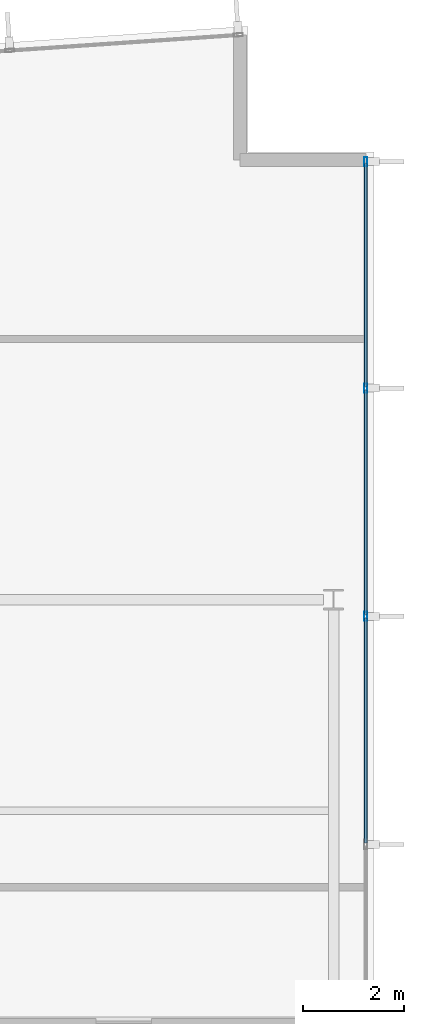
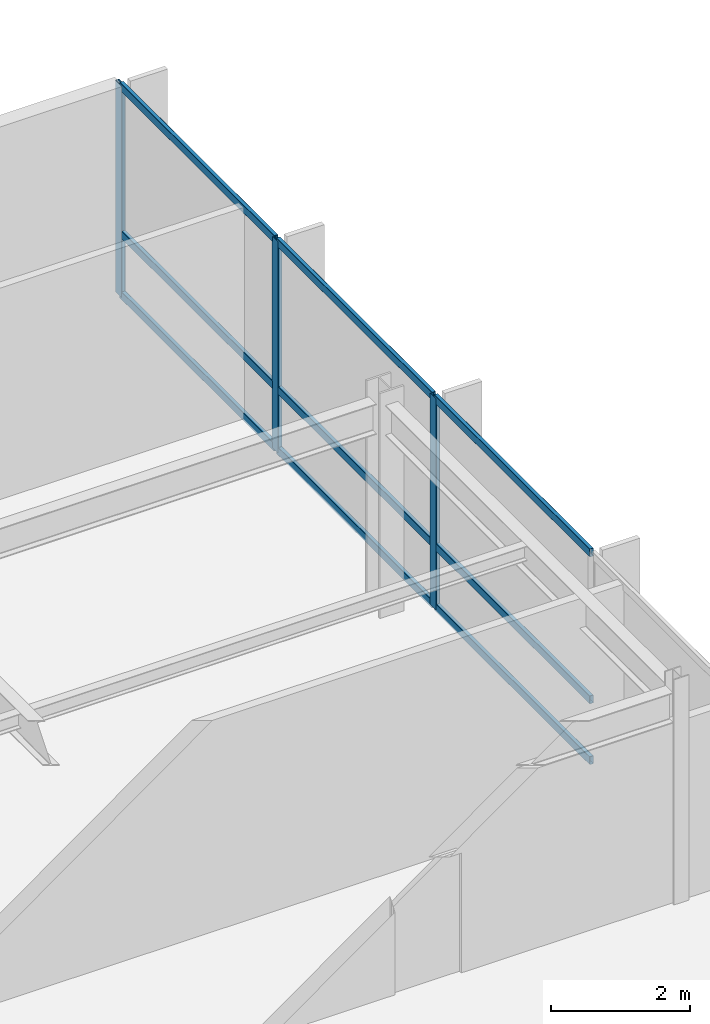
# One storey, part 8 of 16: 12 members, 1 element without a shape of its own.
"""IFC4 building model written with IfcOpenShell, lengths in metres."""

from ifc_helpers import new_model, si_unit, direction, frame, origin, origin_2d, place, context, subcontext, project, spatial, hollow_rectangle, extrude, material, layer, layer_set, material_profile, profile_set, type_object, element, aggregate, save


model = new_model("IFC4")

# Units and contexts
model_context = context("Model", 3, precision=1e-05, world=origin(), true_north=direction((0.0, 1.0)))
body_context = subcontext(model_context, "Body", "Model", "MODEL_VIEW")
ifc_project = project(units=[si_unit("LENGTHUNIT", "METRE"), si_unit("AREAUNIT", "SQUARE_METRE"), si_unit("VOLUMEUNIT", "CUBIC_METRE"), si_unit("PLANEANGLEUNIT", "RADIAN"), si_unit("MASSUNIT", "GRAM", prefix="KILO")], contexts=[model_context])

# Site, building, storey
site_placement = place(None, origin())
site = spatial("IfcSite", under=ifc_project, at=site_placement, CompositionType="ELEMENT")
building_placement = place(site_placement, origin())
building = spatial("IfcBuilding", under=site, at=building_placement, Name="Varnakote Quay Hospital", CompositionType="ELEMENT")
storey_placement = place(building_placement, frame((0.0, 0.0, 180.25)))
storey = spatial("IfcBuildingStorey", under=building, at=storey_placement, Name="L44", CompositionType="ELEMENT", Elevation=180.25)

# Curtain wall, members
ifc_material_1 = material(Name="Anodised aluminium 6063-T6 Bronze", Category="aluminium")
ifc_layer = layer(ifc_material_1, 0.219970703125)
ifc_layer_set = layer_set([ifc_layer], Name="Anodised aluminium 6063-T6 Bronze")
curtain_wall_type = type_object("IfcCurtainWallType", Name="CW-SYS-4", PredefinedType="NOTDEFINED", material=ifc_layer_set)
curtain_wall_placement = place(storey_placement, origin())
curtain_wall = element("IfcCurtainWall", 1, at=curtain_wall_placement, inside=storey, type_object=curtain_wall_type, Name="L44 Unitised Bronze Curtain Wall 1", PredefinedType="NOTDEFINED")
ifc_material_2 = material(Name="Anodised aluminium 6063-T6 Bronze", Category="aluminium")
ifc_material_profile_1 = material_profile(ifc_material_2, hollow_rectangle(XDim=0.06494140625, YDim=0.179931640625, WallThickness=0.00390625, InnerFilletRadius=0.00390625, OuterFilletRadius=0.008056640625, at=origin_2d()), Name="CW-MULL-180x65")
ifc_profile_set_1 = profile_set([ifc_material_profile_1], Name="Anodised aluminium 6063-T6 Bronze")
member_type_1 = type_object("IfcMemberType", Name="CW-MULL-180x65", PredefinedType="MULLION", material=ifc_profile_set_1)
member_1_placement = place(storey_placement, frame((51.0400390625, 20.068115234375, 0.0), z_axis=(0.0, 0.0, 1.0), x_axis=(-1.0, 0.0, 0.0)))
member_1 = element("IfcMember", 2, at=member_1_placement, type_object=member_type_1, Name="-4-L44-1 mullion 4", PredefinedType="MULLION", context=body_context, shape_type="SweptSolid", body=[
    extrude(hollow_rectangle(XDim=0.06494140625, YDim=0.179931640625, WallThickness=0.00390625, InnerFilletRadius=0.00390625, OuterFilletRadius=0.008056640625, at=origin_2d()), origin(), (0.0, 0.0, 1.0), 3.7099609375),
])
member_2_placement = place(storey_placement, frame((51.0400390625, 24.60400390625, 0.0), z_axis=(0.0, 0.0, 1.0), x_axis=(-1.0, 0.0, 0.0)))
member_2 = element("IfcMember", 3, at=member_2_placement, type_object=member_type_1, Name="-4-L44-1 mullion 5", PredefinedType="MULLION", context=body_context, shape_type="SweptSolid", body=[
    extrude(hollow_rectangle(XDim=0.06494140625, YDim=0.179931640625, WallThickness=0.00390625, InnerFilletRadius=0.00390625, OuterFilletRadius=0.008056640625, at=origin_2d()), origin(), (0.0, 0.0, 1.0), 3.7099609375),
])
member_3_placement = place(storey_placement, frame((51.0400390625, 29.107421875, 0.0), z_axis=(0.0, 0.0, 1.0), x_axis=(-1.0, 0.0, 0.0)))
member_3 = element("IfcMember", 4, at=member_3_placement, type_object=member_type_1, Name="-4-L44-1 mullion 6", PredefinedType="MULLION", context=body_context, shape_type="SweptSolid", body=[
    extrude(hollow_rectangle(XDim=0.06494140625, YDim=0.179931640625, WallThickness=0.00390625, InnerFilletRadius=0.00390625, OuterFilletRadius=0.008056640625, at=origin_2d()), origin(), (0.0, 0.0, 1.0), 3.7099609375),
])
ifc_material_3 = material(Name="Anodised aluminium 6063-T6 Bronze", Category="aluminium")
ifc_material_profile_2 = material_profile(ifc_material_3, hollow_rectangle(XDim=0.06494140625, YDim=0.139892578125, WallThickness=0.00390625, InnerFilletRadius=0.00390625, OuterFilletRadius=0.007568359375, at=origin_2d()), Name="CW-TRAN-140x65")
ifc_profile_set_2 = profile_set([ifc_material_profile_2], Name="Anodised aluminium 6063-T6 Bronze")
member_type_2 = type_object("IfcMemberType", Name="CW-TRAN-140x65", PredefinedType="USERDEFINED", material=ifc_profile_set_2)
member_4_placement = place(storey_placement, frame((51.0400390625, 15.564453125, 0.032470703125), z_axis=(0.0, 1.0, 0.0), x_axis=(-1.0, 0.0, 0.0)))
member_4 = element("IfcMember", 5, at=member_4_placement, type_object=member_type_2, Name="-4-L44-1 transom 3.1", ObjectType="TRANSOM", PredefinedType="USERDEFINED", context=body_context, shape_type="SweptSolid", body=[
    extrude(hollow_rectangle(XDim=0.06494140625, YDim=0.139892578125, WallThickness=0.00390625, InnerFilletRadius=0.00390625, OuterFilletRadius=0.007568359375, at=origin_2d()), origin(), (0.0, 0.0, 1.0), 4.470947265625),
])
member_5_placement = place(storey_placement, frame((51.0400390625, 15.564453125, 1.10009765625), z_axis=(0.0, 1.0, 0.0), x_axis=(-1.0, 0.0, 0.0)))
member_5 = element("IfcMember", 6, at=member_5_placement, type_object=member_type_2, Name="-4-L44-1 transom 3.2", ObjectType="TRANSOM", PredefinedType="USERDEFINED", context=body_context, shape_type="SweptSolid", body=[
    extrude(hollow_rectangle(XDim=0.06494140625, YDim=0.139892578125, WallThickness=0.00390625, InnerFilletRadius=0.00390625, OuterFilletRadius=0.007568359375, at=origin_2d()), origin(), (0.0, 0.0, 1.0), 4.470947265625),
])
member_6_placement = place(storey_placement, frame((51.0400390625, 15.564453125, 3.677490234375), z_axis=(0.0, 1.0, 0.0), x_axis=(-1.0, 0.0, 0.0)))
member_6 = element("IfcMember", 7, at=member_6_placement, type_object=member_type_2, Name="-4-L44-1 transom 3.3", ObjectType="TRANSOM", PredefinedType="USERDEFINED", context=body_context, shape_type="SweptSolid", body=[
    extrude(hollow_rectangle(XDim=0.06494140625, YDim=0.139892578125, WallThickness=0.00390625, InnerFilletRadius=0.00390625, OuterFilletRadius=0.007568359375, at=origin_2d()), origin(), (0.0, 0.0, 1.0), 4.470947265625),
])
member_7_placement = place(storey_placement, frame((51.0400390625, 20.1005859375, 0.032470703125), z_axis=(0.0, 1.0, 0.0), x_axis=(-1.0, 0.0, 0.0)))
member_7 = element("IfcMember", 8, at=member_7_placement, type_object=member_type_2, Name="-4-L44-1 transom 4.1", ObjectType="TRANSOM", PredefinedType="USERDEFINED", context=body_context, shape_type="SweptSolid", body=[
    extrude(hollow_rectangle(XDim=0.06494140625, YDim=0.139892578125, WallThickness=0.00390625, InnerFilletRadius=0.00390625, OuterFilletRadius=0.007568359375, at=origin_2d()), origin(), (0.0, 0.0, 1.0), 4.470947265625),
])
member_8_placement = place(storey_placement, frame((51.0400390625, 20.1005859375, 1.10009765625), z_axis=(0.0, 1.0, 0.0), x_axis=(-1.0, 0.0, 0.0)))
member_8 = element("IfcMember", 9, at=member_8_placement, type_object=member_type_2, Name="-4-L44-1 transom 4.2", ObjectType="TRANSOM", PredefinedType="USERDEFINED", context=body_context, shape_type="SweptSolid", body=[
    extrude(hollow_rectangle(XDim=0.06494140625, YDim=0.139892578125, WallThickness=0.00390625, InnerFilletRadius=0.00390625, OuterFilletRadius=0.007568359375, at=origin_2d()), origin(), (0.0, 0.0, 1.0), 4.470947265625),
])
member_9_placement = place(storey_placement, frame((51.0400390625, 20.1005859375, 3.677490234375), z_axis=(0.0, 1.0, 0.0), x_axis=(-1.0, 0.0, 0.0)))
member_9 = element("IfcMember", 10, at=member_9_placement, type_object=member_type_2, Name="-4-L44-1 transom 4.3", ObjectType="TRANSOM", PredefinedType="USERDEFINED", context=body_context, shape_type="SweptSolid", body=[
    extrude(hollow_rectangle(XDim=0.06494140625, YDim=0.139892578125, WallThickness=0.00390625, InnerFilletRadius=0.00390625, OuterFilletRadius=0.007568359375, at=origin_2d()), origin(), (0.0, 0.0, 1.0), 4.470947265625),
])
member_10_placement = place(storey_placement, frame((51.0400390625, 24.636474609375, 0.032470703125), z_axis=(0.0, 1.0, 0.0), x_axis=(-1.0, 0.0, 0.0)))
member_10 = element("IfcMember", 11, at=member_10_placement, type_object=member_type_2, Name="-4-L44-1 transom 5.1", ObjectType="TRANSOM", PredefinedType="USERDEFINED", context=body_context, shape_type="SweptSolid", body=[
    extrude(hollow_rectangle(XDim=0.06494140625, YDim=0.139892578125, WallThickness=0.00390625, InnerFilletRadius=0.00390625, OuterFilletRadius=0.007568359375, at=origin_2d()), origin(), (0.0, 0.0, 1.0), 4.4384765625),
])
member_11_placement = place(storey_placement, frame((51.0400390625, 24.636474609375, 1.10009765625), z_axis=(0.0, 1.0, 0.0), x_axis=(-1.0, 0.0, 0.0)))
member_11 = element("IfcMember", 12, at=member_11_placement, type_object=member_type_2, Name="-4-L44-1 transom 5.2", ObjectType="TRANSOM", PredefinedType="USERDEFINED", context=body_context, shape_type="SweptSolid", body=[
    extrude(hollow_rectangle(XDim=0.06494140625, YDim=0.139892578125, WallThickness=0.00390625, InnerFilletRadius=0.00390625, OuterFilletRadius=0.007568359375, at=origin_2d()), origin(), (0.0, 0.0, 1.0), 4.4384765625),
])
member_12_placement = place(storey_placement, frame((51.0400390625, 24.636474609375, 3.677490234375), z_axis=(0.0, 1.0, 0.0), x_axis=(-1.0, 0.0, 0.0)))
member_12 = element("IfcMember", 13, at=member_12_placement, type_object=member_type_2, Name="-4-L44-1 transom 5.3", ObjectType="TRANSOM", PredefinedType="USERDEFINED", context=body_context, shape_type="SweptSolid", body=[
    extrude(hollow_rectangle(XDim=0.06494140625, YDim=0.139892578125, WallThickness=0.00390625, InnerFilletRadius=0.00390625, OuterFilletRadius=0.007568359375, at=origin_2d()), origin(), (0.0, 0.0, 1.0), 4.4384765625),
])
aggregate(curtain_wall, [member_1, member_2, member_3, member_4, member_5, member_6, member_7, member_8, member_9, member_10, member_11, member_12])

save(model, "model.ifc")
